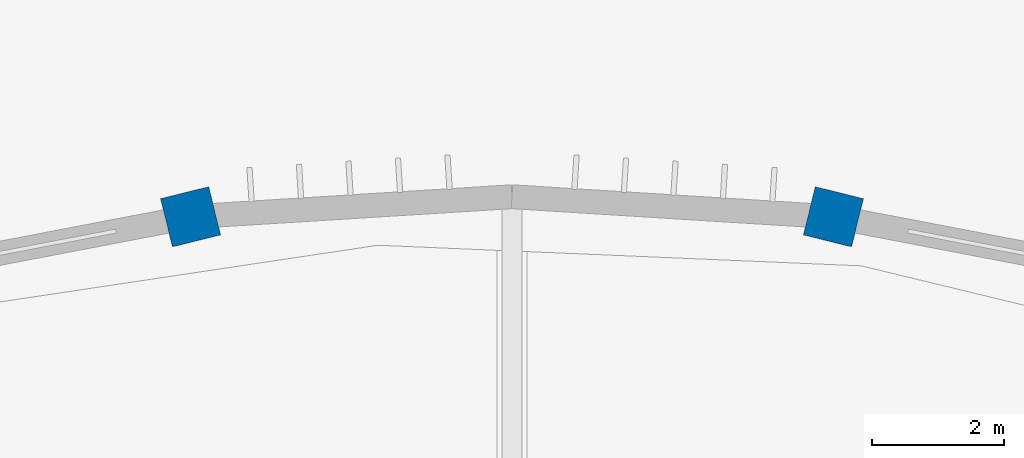
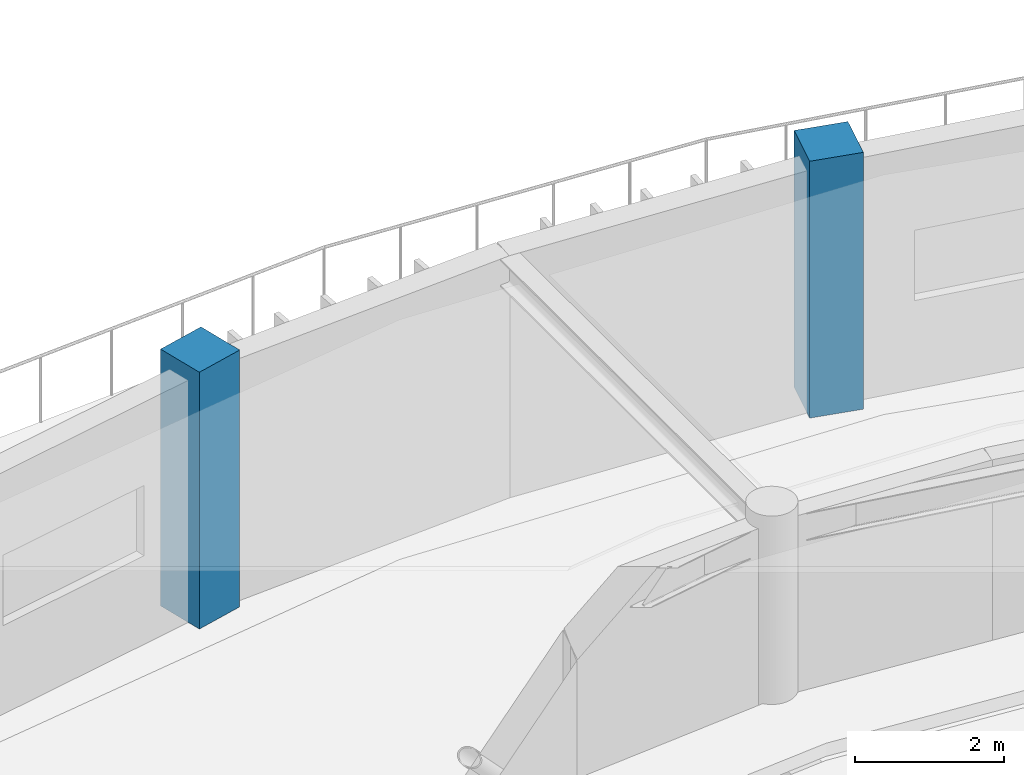
# One storey, part 7 of 63: 2 columns.
"""IFC4 building model written with IfcOpenShell, lengths in metres."""

from ifc_helpers import new_model, si_unit, direction, frame, origin, origin_2d, place, context, subcontext, project, spatial, rectangle, extrude, material, material_profile, profile_set, type_object, element, save


model = new_model("IFC4")

# Units and contexts
model_context = context("Model", 3, precision=1e-05, world=origin(), true_north=direction((0.0, 1.0)))
body_context = subcontext(model_context, "Body", "Model", "MODEL_VIEW")
ifc_project = project(units=[si_unit("LENGTHUNIT", "METRE"), si_unit("AREAUNIT", "SQUARE_METRE"), si_unit("VOLUMEUNIT", "CUBIC_METRE"), si_unit("PLANEANGLEUNIT", "RADIAN"), si_unit("MASSUNIT", "GRAM", prefix="KILO")], contexts=[model_context])

# Site, building, storey
site_placement = place(None, origin())
site = spatial("IfcSite", under=ifc_project, at=site_placement, CompositionType="ELEMENT")
building_placement = place(site_placement, origin())
building = spatial("IfcBuilding", under=site, at=building_placement, Name="Tarnveldt Headland Concert Hall", CompositionType="ELEMENT")
storey_placement = place(building_placement, frame((0.0, 0.0, 14.39990234375)))
storey = spatial("IfcBuildingStorey", under=building, at=storey_placement, Name="L03", CompositionType="ELEMENT", Elevation=14.39990234375)

# Columns
ifc_material = material(Name="Concrete C40/50", Category="concrete")
ifc_material_profile = material_profile(ifc_material, rectangle(XDim=0.75, YDim=0.75, at=origin_2d()), Name="RC 750x750", Category="concrete")
ifc_profile_set = profile_set([ifc_material_profile], Name="Concrete C40/50")
column_type = type_object("IfcColumnType", Name="CC-750", PredefinedType="COLUMN", material=ifc_profile_set)
for number, where, z_axis, x_axis, name in (
    (1, (88.362060546875, 74.1962890625, 0.0), (0.0, 0.0, 1.0), (0.239719743609, 0.970842131618, 0.0), "Column V2DC05 L03"),
    (2, (78.637939453125, 74.1962890625, 0.0), (0.0, 0.0, 1.0), (-0.239719743609, 0.970842131618, 0.0), "Column V2DC06 L03"),
):
    element("IfcColumn", number, at=place(storey_placement, frame(where, z_axis=z_axis, x_axis=x_axis)), inside=storey, type_object=column_type, Name=name, PredefinedType="COLUMN", context=body_context, shape_type="SweptSolid", body=[
        extrude(rectangle(XDim=0.75, YDim=0.75, at=origin_2d()), origin(), (0.0, 0.0, 1.0), 4.2001953125),
    ])

save(model, "model.ifc")
